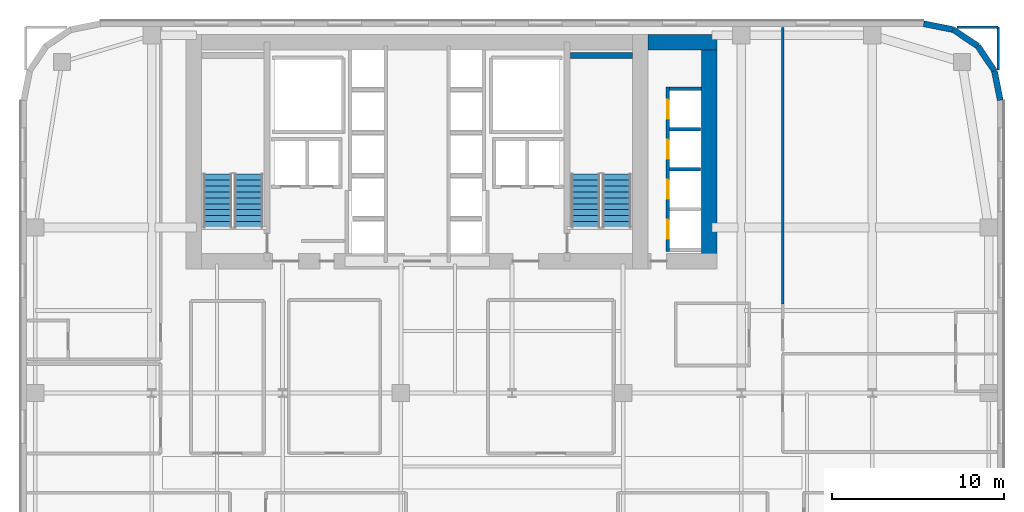
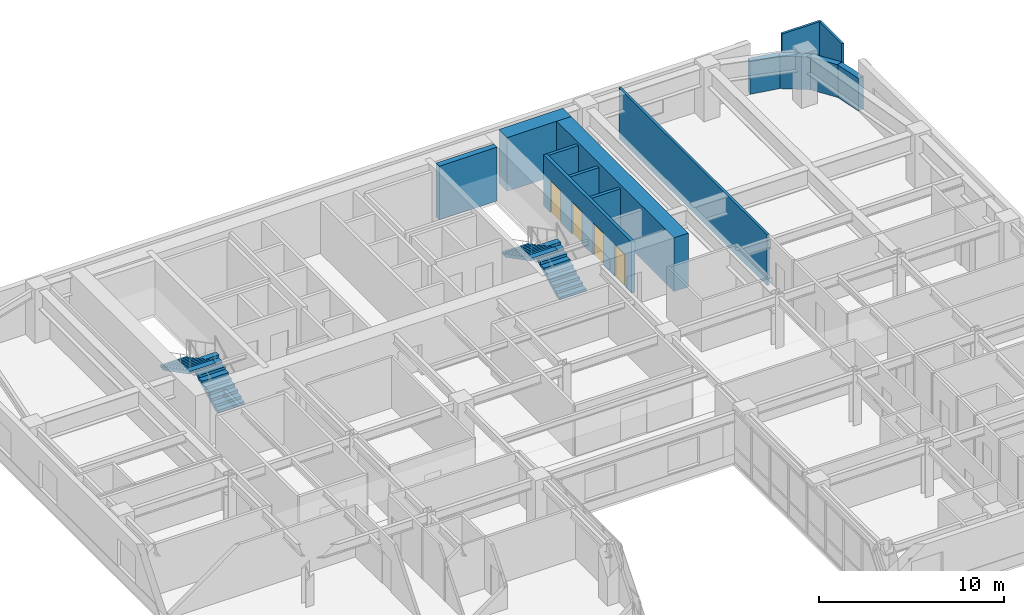
# One storey, part 19 of 24: 14 walls, 4 doors, 4 stair flights, 4 openings, 2 elements without a shape of their own.
"""IFC4 building model written with IfcOpenShell, lengths in metres."""

from ifc_helpers import new_model, si_unit, direction, frame, frame_2d, origin, place, context, subcontext, project, spatial, polyline, rectangle, outline, extrude, source, transform, mapped, material, layer, layer_set, type_object, type_shapes, element, fill, aggregate, save


model = new_model("IFC4")

# Units and contexts
model_context = context("Model", 3, precision=1e-05, world=origin(), true_north=direction((0.0, 1.0)))
body_context = subcontext(model_context, "Body", "Model", "MODEL_VIEW")
ifc_project = project(units=[si_unit("LENGTHUNIT", "METRE"), si_unit("AREAUNIT", "SQUARE_METRE"), si_unit("VOLUMEUNIT", "CUBIC_METRE"), si_unit("PLANEANGLEUNIT", "RADIAN"), si_unit("MASSUNIT", "GRAM", prefix="KILO")], contexts=[model_context])

# Site, building, storey
site_placement = place(None, origin())
site = spatial("IfcSite", under=ifc_project, at=site_placement, CompositionType="ELEMENT")
building_placement = place(site_placement, origin())
building = spatial("IfcBuilding", under=site, at=building_placement, Name="Tolvann Quenvar Hotel", CompositionType="ELEMENT")
storey_placement = place(building_placement, frame((0.0, 0.0, 67.5)))
storey = spatial("IfcBuildingStorey", under=building, at=storey_placement, Name="L16", CompositionType="ELEMENT", Elevation=67.5)

# Walls
ifc_material_1 = material(Name="Concrete S80 (80 MPa)", Category="concrete")
ifc_layer_1 = layer(ifc_material_1, 0.89990234375)
ifc_layer_set_1 = layer_set([ifc_layer_1], Name="Concrete S80 (80 MPa)")
wall_type_1 = type_object("IfcWallType", Name="WALL_CORE_900", PredefinedType="SHEAR", material=ifc_layer_set_1)
wall_1_placement = place(storey_placement, frame((36.39990234375, 44.75, 0.0), z_axis=(0.0, 0.0, 1.0), x_axis=(1.0, 0.0, 0.0)))
element("IfcWall", 1, at=wall_1_placement, inside=storey, type_object=wall_type_1, Name="Core East Annex Shear Wall ANN-N (L16)", PredefinedType="SHEAR", context=body_context, shape_type="SweptSolid", body=[
    extrude(rectangle(XDim=4.0, YDim=0.89990234375, at=frame_2d((2.0, 0.0))), origin(), (0.0, 0.0, 1.0), 3.550048828125),
])
wall_2_placement = place(storey_placement, frame((39.949951171875, 31.60009765625, 0.0), z_axis=(0.0, 0.0, 1.0), x_axis=(0.0, 1.0, 0.0)))
element("IfcWall", 2, at=wall_2_placement, inside=storey, type_object=wall_type_1, Name="Core East Annex Shear Wall ANN-E (L16)", PredefinedType="SHEAR", context=body_context, shape_type="SweptSolid", body=[
    extrude(rectangle(XDim=13.599853515625, YDim=0.89990234375, at=frame_2d((6.7998046875, 0.0))), origin(), (0.0, 0.0, 1.0), 3.550048828125),
])
ifc_material_2 = material(Name="Concrete S65 (65 MPa)", Category="concrete")
ifc_layer_2 = layer(ifc_material_2, 0.35009765625)
ifc_layer_set_2 = layer_set([ifc_layer_2], Name="Concrete S65 (65 MPa)")
wall_type_2 = type_object("IfcWallType", Name="WALL_CORE_INT_350", PredefinedType="SHEAR", material=ifc_layer_set_2)
wall_3_placement = place(storey_placement, frame((31.8798828125, 43.97509765625, 0.0), z_axis=(0.0, 0.0, 1.0), x_axis=(1.0, 0.0, 0.0)))
element("IfcWall", 3, at=wall_3_placement, inside=storey, type_object=wall_type_2, Name="Core Stair North Closing Shear Wall STC2-N (L16)", PredefinedType="SHEAR", context=body_context, shape_type="SweptSolid", body=[
    extrude(rectangle(XDim=3.60009765625, YDim=0.35009765625, at=frame_2d((1.800048828125, 0.0))), origin(), (0.0, 0.0, 1.0), 3.550048828125),
])
ifc_material_3 = material(Name="Kiln-fired red and buff architectural clay brickwork and terracotta masonry", Category="masonry")
ifc_layer_3 = layer(ifc_material_3, 0.35009765625)
ifc_layer_set_3 = layer_set([ifc_layer_3], Name="Kiln-fired red and buff architectural clay brickwork and terracotta masonry")
wall_type_3 = type_object("IfcWallType", Name="WALL_EXT_BRICK_350", PredefinedType="SOLIDWALL", material=ifc_layer_set_3)
wall_4_placement = place(storey_placement, frame((56.824951171875, 41.3828125, 0.0), z_axis=(0.0, 0.0, 1.0), x_axis=(-0.195011420161, 0.980800971659, 0.0)))
element("IfcWall", 4, at=wall_4_placement, inside=storey, type_object=wall_type_3, Name="Exterior Chicago Brick Wall L16-E14", PredefinedType="SOLIDWALL", context=body_context, shape_type="SweptSolid", body=[
    extrude(rectangle(XDim=1.74267578125, YDim=0.35009765625, at=frame_2d((0.871337890625, 0.0))), origin(), (0.0, 0.0, 1.0), 2.159912109375),
])
for number, where, z_axis, x_axis, name in (
    (5, (56.485107421875, 43.092041015625, 0.0), (0.0, 0.0, 1.0), (-0.55554893791, 0.831483840845, 0.0), "Exterior Chicago Brick Wall L16-E15"),
    (6, (55.526611328125, 44.526611328125, 0.0), (0.0, 0.0, 1.0), (-0.831483840845, 0.55554893791, 0.0), "Exterior Chicago Brick Wall L16-E16"),
):
    element("IfcWall", number, at=place(storey_placement, frame(where, z_axis=z_axis, x_axis=x_axis)), inside=storey, type_object=wall_type_3, Name=name, PredefinedType="SOLIDWALL", context=body_context, shape_type="SweptSolid", body=[
        extrude(rectangle(XDim=1.725341796875, YDim=0.35009765625, at=frame_2d((0.86279296875, 0.0))), origin(), (0.0, 0.0, 1.0), 2.159912109375),
    ])
wall_5_placement = place(storey_placement, frame((54.092041015625, 45.485107421875, 0.0), z_axis=(0.0, 0.0, 1.0), x_axis=(-0.980800971659, 0.195011420161, 0.0)))
element("IfcWall", 7, at=wall_5_placement, inside=storey, type_object=wall_type_3, Name="Exterior Chicago Brick Wall L16-E17", PredefinedType="SOLIDWALL", context=body_context, shape_type="SweptSolid", body=[
    extrude(rectangle(XDim=1.74267578125, YDim=0.35009765625, at=frame_2d((0.871337890625, 0.0))), origin(), (0.0, 0.0, 1.0), 2.159912109375),
])
ifc_material_4 = material(Name="Acoustic twin-stud fire-rated gypsum plasterboard partition")
ifc_layer_4 = layer(ifc_material_4, 0.14990234375)
ifc_layer_set_4 = layer_set([ifc_layer_4], Name="Acoustic twin-stud fire-rated gypsum plasterboard partition")
wall_type_4 = type_object("IfcWallType", Name="WALL_PART_SUITE_150", PredefinedType="PARTITIONING", material=ifc_layer_set_4)
wall_6_placement = place(storey_placement, frame((56.699951171875, 43.135009765625, 0.0), z_axis=(0.0, 0.0, 1.0), x_axis=(0.0, 1.0, 0.0)))
element("IfcWall", 8, at=wall_6_placement, inside=storey, type_object=wall_type_4, Name="Interior Partition PT-SPC-L16-RM-NE02-E4", PredefinedType="PARTITIONING", context=body_context, shape_type="SweptSolid", body=[
    extrude(rectangle(XDim=2.485107421875, YDim=0.14990234375, at=frame_2d((1.24267578125, 0.0))), origin(), (0.0, 0.0, 1.0), 3.3701171875),
])
wall_7_placement = place(storey_placement, frame((54.303955078125, 45.6201171875, 0.0), z_axis=(0.0, 0.0, 1.0), x_axis=(1.0, 0.0, 0.0)))
element("IfcWall", 9, at=wall_7_placement, inside=storey, type_object=wall_type_4, Name="Interior Partition PT-SPC-L16-RM-NE02-E5", PredefinedType="PARTITIONING", context=body_context, shape_type="SweptSolid", body=[
    extrude(rectangle(XDim=2.39599609375, YDim=0.14990234375, at=frame_2d((1.197998046875, 0.0))), origin(), (0.0, 0.0, 1.0), 3.3701171875),
])
wall_8_placement = place(storey_placement, frame((44.199951171875, 29.570068359375, 0.0), z_axis=(0.0, 0.0, 1.0), x_axis=(0.0, 1.0, 0.0)))
element("IfcWall", 10, at=wall_8_placement, inside=storey, type_object=wall_type_4, Name="Interior Partition PT-SPC-L16-RM-NE02-E6", PredefinedType="PARTITIONING", context=body_context, shape_type="SweptSolid", body=[
    extrude(rectangle(XDim=16.02490234375, YDim=0.14990234375, at=frame_2d((8.012451171875, 0.0))), origin(), (0.0, 0.0, 1.0), 3.3701171875),
])

# Wall, openings, doors
ifc_material_5 = material(Name="Concrete N40 (40 MPa)", Category="concrete")
ifc_layer_5 = layer(ifc_material_5, 0.199951171875)
ifc_layer_set_5 = layer_set([ifc_layer_5], Name="Concrete N40 (40 MPa)")
wall_type_5 = type_object("IfcWallType", Name="WALL_SHAFT_200", PredefinedType="SOLIDWALL", material=ifc_layer_set_5)
wall_9_placement = place(storey_placement, frame((37.530029296875, 32.610107421875, 0.0), z_axis=(0.0, 0.0, 1.0), x_axis=(0.0, 1.0, 0.0)))
wall_9 = element("IfcWall", 11, at=wall_9_placement, inside=storey, type_object=wall_type_5, Name="Lift Bank W37.6C1 Hoistway Front Wall (L16)", PredefinedType="SOLIDWALL", context=body_context, shape_type="SweptSolid", body=[
    extrude(rectangle(XDim=9.539794921875, YDim=0.199951171875, at=frame_2d((4.77001953125, 0.0))), origin(), (0.0, 0.0, 1.0), 3.3701171875),
])
opening_1_placement = place(wall_9_placement, frame((0.739990234375, 0.0, 0.0)))
opening_1 = element("IfcOpeningElement", 12, at=opening_1_placement, cuts=wall_9, Name="Opening LD-01", PredefinedType="OPENING", context=body_context, shape_type="SweptSolid", body=[
    extrude(rectangle(XDim=1.10009765625, YDim=2.1201171875, at=frame_2d((0.550048828125, 1.06005859375))), frame((0.0, 0.10986328125, 0.0), z_axis=(0.0, -1.0, 0.0), x_axis=(1.0, 0.0, 0.0)), (0.0, 0.0, 1.0), 0.219970703125),
])
opening_2_placement = place(wall_9_placement, frame((3.06005859375, 0.0, 0.0)))
opening_2 = element("IfcOpeningElement", 13, at=opening_2_placement, cuts=wall_9, Name="Opening LD-01", PredefinedType="OPENING", context=body_context, shape_type="SweptSolid", body=[
    extrude(rectangle(XDim=1.10009765625, YDim=2.1201171875, at=frame_2d((0.550048828125, 1.06005859375))), frame((0.0, 0.10986328125, 0.0), z_axis=(0.0, -1.0, 0.0), x_axis=(1.0, 0.0, 0.0)), (0.0, 0.0, 1.0), 0.219970703125),
])
opening_3_placement = place(wall_9_placement, frame((5.3798828125, 0.0, 0.0)))
opening_3 = element("IfcOpeningElement", 14, at=opening_3_placement, cuts=wall_9, Name="Opening LD-01", PredefinedType="OPENING", context=body_context, shape_type="SweptSolid", body=[
    extrude(rectangle(XDim=1.10009765625, YDim=2.1201171875, at=frame_2d((0.550048828125, 1.06005859375))), frame((0.0, 0.10986328125, 0.0), z_axis=(0.0, -1.0, 0.0), x_axis=(1.0, 0.0, 0.0)), (0.0, 0.0, 1.0), 0.219970703125),
])
opening_4_placement = place(wall_9_placement, frame((7.699951171875, 0.0, 0.0)))
opening_4 = element("IfcOpeningElement", 15, at=opening_4_placement, cuts=wall_9, Name="Opening LD-01", PredefinedType="OPENING", context=body_context, shape_type="SweptSolid", body=[
    extrude(rectangle(XDim=1.10009765625, YDim=2.1201171875, at=frame_2d((0.550048828125, 1.06005859375))), frame((0.0, 0.10986328125, 0.0), z_axis=(0.0, -1.0, 0.0), x_axis=(1.0, 0.0, 0.0)), (0.0, 0.0, 1.0), 0.219970703125),
])
ifc_material_6 = material(Name="Brushed 316 stainless steel automatic sliding lift landing door", Category="steel")
door_type = type_object("IfcDoorType", Name="DOOR_LIFT_SLIDE_1100", OperationType="NOTDEFINED", PredefinedType="DOOR", material=ifc_material_6)
shared_shape = source(origin(), body_context, "Body", "SweptSolid", [
    extrude(rectangle(XDim=1.10009765625, YDim=2.1201171875, at=frame_2d((0.550048828125, 1.06005859375))), frame((0.0, 0.02490234375, 0.0), z_axis=(0.0, -1.0, 0.0), x_axis=(1.0, 0.0, 0.0)), (0.0, 0.0, 1.0), 0.050048828125),
])
type_shapes(door_type, [shared_shape])
door_1_placement = place(opening_1_placement, origin())
door_1 = element("IfcDoor", 16, at=door_1_placement, inside=storey, type_object=door_type, Name="Lift PL-1 Sliding Landing Door (L16)", OperationType="SLIDING_TO_LEFT", OverallHeight=2.1201171875, OverallWidth=1.10009765625, PredefinedType="DOOR", context=body_context, shape_type="MappedRepresentation", body=[
    mapped(shared_shape, transform((0.0, 0.0, 0.0), x_axis=(1.0, 0.0, 0.0), y_axis=(0.0, 1.0, 0.0), z_axis=(0.0, 0.0, 1.0), scale=1.0)),
])
fill(opening_1, door_1)
door_2_placement = place(opening_2_placement, origin())
door_2 = element("IfcDoor", 17, at=door_2_placement, inside=storey, type_object=door_type, Name="Lift PL-2 Sliding Landing Door (L16)", OperationType="SLIDING_TO_RIGHT", OverallHeight=2.1201171875, OverallWidth=1.10009765625, PredefinedType="DOOR", context=body_context, shape_type="MappedRepresentation", body=[
    mapped(shared_shape, transform((0.0, 0.0, 0.0), x_axis=(1.0, 0.0, 0.0), y_axis=(0.0, 1.0, 0.0), z_axis=(0.0, 0.0, 1.0), scale=1.0)),
])
fill(opening_2, door_2)
door_3_placement = place(opening_3_placement, origin())
door_3 = element("IfcDoor", 18, at=door_3_placement, inside=storey, type_object=door_type, Name="Lift PL-3 Sliding Landing Door (L16)", OperationType="SLIDING_TO_LEFT", OverallHeight=2.1201171875, OverallWidth=1.10009765625, PredefinedType="DOOR", context=body_context, shape_type="MappedRepresentation", body=[
    mapped(shared_shape, transform((0.0, 0.0, 0.0), x_axis=(1.0, 0.0, 0.0), y_axis=(0.0, 1.0, 0.0), z_axis=(0.0, 0.0, 1.0), scale=1.0)),
])
fill(opening_3, door_3)
door_4_placement = place(opening_4_placement, origin())
door_4 = element("IfcDoor", 19, at=door_4_placement, inside=storey, type_object=door_type, Name="Lift PL-4 Sliding Landing Door (L16)", OperationType="SLIDING_TO_RIGHT", OverallHeight=2.1201171875, OverallWidth=1.10009765625, PredefinedType="DOOR", context=body_context, shape_type="MappedRepresentation", body=[
    mapped(shared_shape, transform((0.0, 0.0, 0.0), x_axis=(1.0, 0.0, 0.0), y_axis=(0.0, 1.0, 0.0), z_axis=(0.0, 0.0, 1.0), scale=1.0)),
])
fill(opening_4, door_4)

# Walls
wall_10_placement = place(storey_placement, frame((37.6298828125, 42.050048828125, 0.0), z_axis=(0.0, 0.0, 1.0), x_axis=(1.0, 0.0, 0.0)))
element("IfcWall", 20, at=wall_10_placement, inside=storey, type_object=wall_type_5, Name="Lift Bank W37.6C1 Hoistway Cheek Wall 2 (L16)", PredefinedType="SOLIDWALL", context=body_context, shape_type="SweptSolid", body=[
    extrude(rectangle(XDim=1.8701171875, YDim=0.199951171875, at=frame_2d((0.93505859375, 0.0))), origin(), (0.0, 0.0, 1.0), 3.3701171875),
])
for number, where, z_axis, x_axis, name in (
    (21, (37.6298828125, 37.3798828125, 0.0), (0.0, 0.0, 1.0), (1.0, 0.0, 0.0), "Lift Bank W37.6C1 Divider Wall 2 (L16)"),
    (22, (37.6298828125, 39.699951171875, 0.0), (0.0, 0.0, 1.0), (1.0, 0.0, 0.0), "Lift Bank W37.6C1 Divider Wall 3 (L16)"),
):
    element("IfcWall", number, at=place(storey_placement, frame(where, z_axis=z_axis, x_axis=x_axis)), inside=storey, type_object=wall_type_5, Name=name, PredefinedType="SOLIDWALL", context=body_context, shape_type="SweptSolid", body=[
        extrude(rectangle(XDim=1.800048828125, YDim=0.199951171875, at=frame_2d((0.89990234375, 0.0))), origin(), (0.0, 0.0, 1.0), 3.3701171875),
    ])

# Stair, stair flights
stair_type = type_object("IfcStairType", Name="STAIR", PredefinedType="HALF_TURN_STAIR", material=ifc_material_5)
stair_1_placement = place(storey_placement, origin())
stair_1 = element("IfcStair", 23, at=stair_1_placement, inside=storey, type_object=stair_type, Name="L16 ST-C1", PredefinedType="HALF_TURN_STAIR")
stair_flight_type = type_object("IfcStairFlightType", Name="STAIR_FLIGHT", PredefinedType="STRAIGHT", material=ifc_material_5)
stair_flight_1_placement = place(storey_placement, frame((13.22509765625, 34.0, 0.0), z_axis=(0.0, 0.0, 1.0), x_axis=(0.0, 1.0, 0.0)))
stair_flight_1 = element("IfcStairFlight", 24, at=stair_flight_1_placement, type_object=stair_flight_type, Name="ST-C1 flight 1", NumberOfRisers=10, NumberOfTreads=9, PredefinedType="STRAIGHT", RiserHeight=0.1775, TreadLength=0.345, context=body_context, shape_type="SweptSolid", body=[
    extrude(outline(polyline([(0.0, 0.0), (0.0, 0.177490234375), (0.344970703125, 0.177490234375), (0.344970703125, 0.35498046875), (0.68994140625, 0.35498046875), (0.68994140625, 0.532470703125), (1.034912109375, 0.532470703125), (1.034912109375, 0.7099609375), (1.3798828125, 0.7099609375), (1.3798828125, 0.887451171875), (1.72509765625, 0.887451171875), (1.72509765625, 1.06494140625), (2.070068359375, 1.06494140625), (2.070068359375, 1.242431640625), (2.4150390625, 1.242431640625), (2.4150390625, 1.419921875), (2.760009765625, 1.419921875), (2.760009765625, 1.597412109375), (3.10498046875, 1.597412109375), (3.10498046875, 1.77490234375), (3.10498046875, 1.428955078125), (0.32763671875, 0.0), (0.0, 0.0)])), frame((0.0, 0.824951171875, 0.0), z_axis=(0.0, -1.0, 0.0), x_axis=(1.0, 0.0, 0.0)), (0.0, 0.0, 1.0), 1.64990234375),
])
stair_flight_2_placement = place(storey_placement, frame((11.425048828125, 37.10498046875, 1.77490234375), z_axis=(0.0, 0.0, 1.0), x_axis=(0.0, -1.0, 0.0)))
stair_flight_2 = element("IfcStairFlight", 25, at=stair_flight_2_placement, type_object=stair_flight_type, Name="ST-C1 flight 2", NumberOfRisers=10, NumberOfTreads=9, PredefinedType="STRAIGHT", RiserHeight=0.1775, TreadLength=0.345, context=body_context, shape_type="SweptSolid", body=[
    extrude(outline(polyline([(0.0, 0.0), (0.0, 0.177490234375), (0.344970703125, 0.177490234375), (0.344970703125, 0.35498046875), (0.68994140625, 0.35498046875), (0.68994140625, 0.532470703125), (1.034912109375, 0.532470703125), (1.034912109375, 0.7099609375), (1.3798828125, 0.7099609375), (1.3798828125, 0.887451171875), (1.72509765625, 0.887451171875), (1.72509765625, 1.06494140625), (2.070068359375, 1.06494140625), (2.070068359375, 1.242431640625), (2.4150390625, 1.242431640625), (2.4150390625, 1.419921875), (2.760009765625, 1.419921875), (2.760009765625, 1.597412109375), (3.10498046875, 1.597412109375), (3.10498046875, 1.77490234375), (3.10498046875, 1.428955078125), (0.32763671875, 0.0), (0.0, 0.0)])), frame((0.0, 0.824951171875, 0.0), z_axis=(0.0, -1.0, 0.0), x_axis=(1.0, 0.0, 0.0)), (0.0, 0.0, 1.0), 1.64990234375),
])
aggregate(stair_1, [stair_flight_1, stair_flight_2])

stair_2_placement = place(storey_placement, origin())
stair_2 = element("IfcStair", 26, at=stair_2_placement, inside=storey, type_object=stair_type, Name="L16 ST-C2", PredefinedType="HALF_TURN_STAIR")
stair_flight_3_placement = place(storey_placement, frame((34.574951171875, 34.0, 0.0), z_axis=(0.0, 0.0, 1.0), x_axis=(0.0, 1.0, 0.0)))
stair_flight_3 = element("IfcStairFlight", 27, at=stair_flight_3_placement, type_object=stair_flight_type, Name="ST-C2 flight 1", NumberOfRisers=10, NumberOfTreads=9, PredefinedType="STRAIGHT", RiserHeight=0.1775, TreadLength=0.345, context=body_context, shape_type="SweptSolid", body=[
    extrude(outline(polyline([(0.0, 0.0), (0.0, 0.177490234375), (0.344970703125, 0.177490234375), (0.344970703125, 0.35498046875), (0.68994140625, 0.35498046875), (0.68994140625, 0.532470703125), (1.034912109375, 0.532470703125), (1.034912109375, 0.7099609375), (1.3798828125, 0.7099609375), (1.3798828125, 0.887451171875), (1.72509765625, 0.887451171875), (1.72509765625, 1.06494140625), (2.070068359375, 1.06494140625), (2.070068359375, 1.242431640625), (2.4150390625, 1.242431640625), (2.4150390625, 1.419921875), (2.760009765625, 1.419921875), (2.760009765625, 1.597412109375), (3.10498046875, 1.597412109375), (3.10498046875, 1.77490234375), (3.10498046875, 1.428955078125), (0.32763671875, 0.0), (0.0, 0.0)])), frame((0.0, 0.824951171875, 0.0), z_axis=(0.0, -1.0, 0.0), x_axis=(1.0, 0.0, 0.0)), (0.0, 0.0, 1.0), 1.64990234375),
])
stair_flight_4_placement = place(storey_placement, frame((32.77490234375, 37.10498046875, 1.77490234375), z_axis=(0.0, 0.0, 1.0), x_axis=(0.0, -1.0, 0.0)))
stair_flight_4 = element("IfcStairFlight", 28, at=stair_flight_4_placement, type_object=stair_flight_type, Name="ST-C2 flight 2", NumberOfRisers=10, NumberOfTreads=9, PredefinedType="STRAIGHT", RiserHeight=0.1775, TreadLength=0.345, context=body_context, shape_type="SweptSolid", body=[
    extrude(outline(polyline([(0.0, 0.0), (0.0, 0.177490234375), (0.344970703125, 0.177490234375), (0.344970703125, 0.35498046875), (0.68994140625, 0.35498046875), (0.68994140625, 0.532470703125), (1.034912109375, 0.532470703125), (1.034912109375, 0.7099609375), (1.3798828125, 0.7099609375), (1.3798828125, 0.887451171875), (1.72509765625, 0.887451171875), (1.72509765625, 1.06494140625), (2.070068359375, 1.06494140625), (2.070068359375, 1.242431640625), (2.4150390625, 1.242431640625), (2.4150390625, 1.419921875), (2.760009765625, 1.419921875), (2.760009765625, 1.597412109375), (3.10498046875, 1.597412109375), (3.10498046875, 1.77490234375), (3.10498046875, 1.428955078125), (0.32763671875, 0.0), (0.0, 0.0)])), frame((0.0, 0.824951171875, 0.0), z_axis=(0.0, -1.0, 0.0), x_axis=(1.0, 0.0, 0.0)), (0.0, 0.0, 1.0), 1.64990234375),
])
aggregate(stair_2, [stair_flight_3, stair_flight_4])

save(model, "model.ifc")
